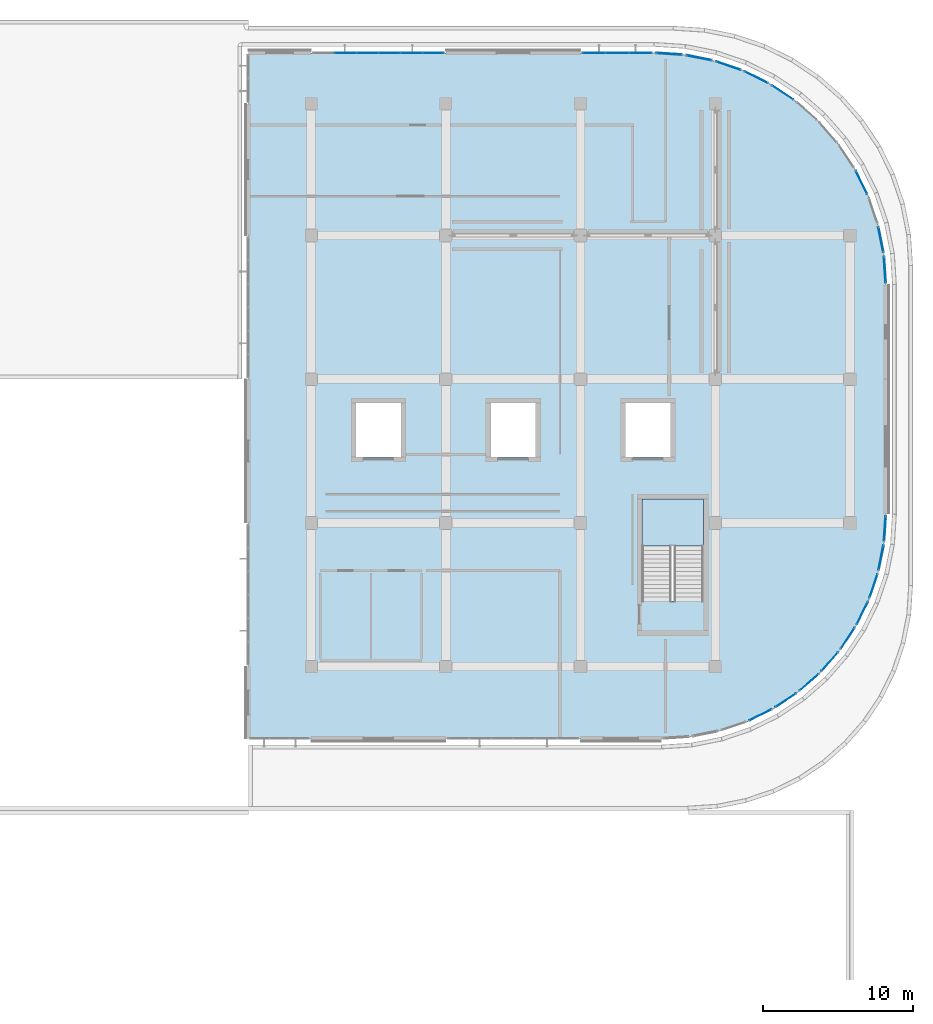
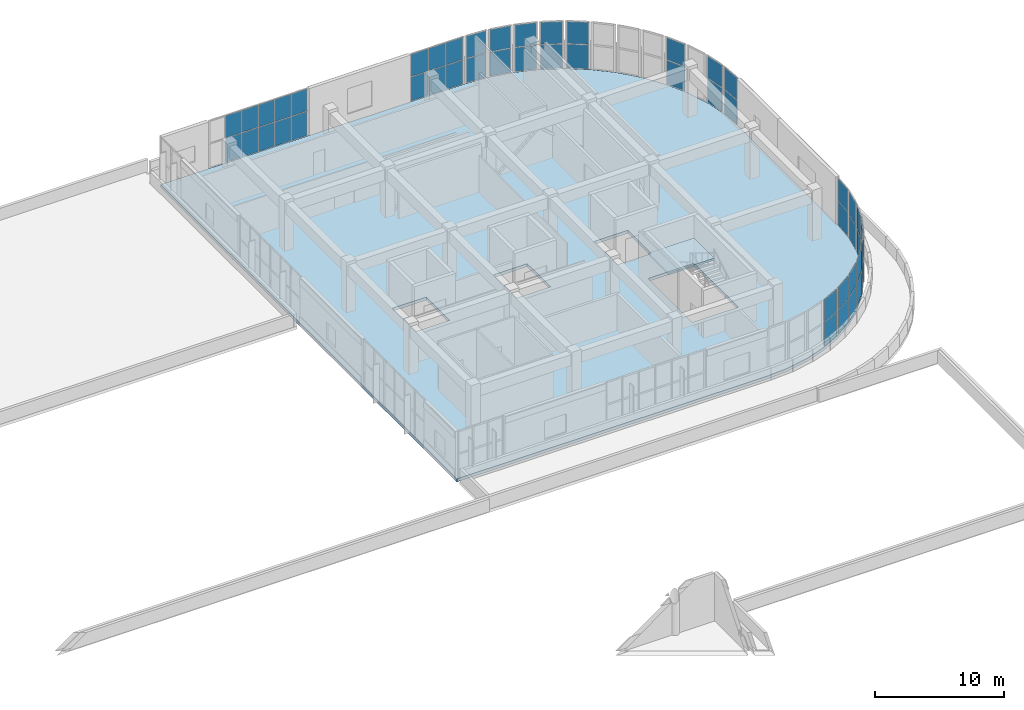
# One storey, part 34 of 67: 50 plates, 2 slabs, 20 elements without a shape of their own.
"""IFC4 building model written with IfcOpenShell, lengths in metres."""

from ifc_helpers import new_model, si_unit, direction, frame, origin, origin_2d, place, context, subcontext, project, spatial, polyline, rectangle, outline, extrude, material, layer, layer_set, type_object, element, aggregate, save


model = new_model("IFC4")

# Units and contexts
model_context = context("Model", 3, precision=1e-05, world=origin(), true_north=direction((0.0, 1.0)))
body_context = subcontext(model_context, "Body", "Model", "MODEL_VIEW")
ifc_project = project(units=[si_unit("LENGTHUNIT", "METRE"), si_unit("AREAUNIT", "SQUARE_METRE"), si_unit("VOLUMEUNIT", "CUBIC_METRE"), si_unit("PLANEANGLEUNIT", "RADIAN"), si_unit("MASSUNIT", "GRAM", prefix="KILO")], contexts=[model_context])

# Site, building, storey
site_placement = place(None, origin())
site = spatial("IfcSite", under=ifc_project, at=site_placement, CompositionType="ELEMENT")
building_placement = place(site_placement, origin())
building = spatial("IfcBuilding", under=site, at=building_placement, Name="Cendralis Terraced Arcade", CompositionType="ELEMENT")
storey_placement = place(building_placement, frame((0.0, 0.0, 15.0)))
storey = spatial("IfcBuildingStorey", under=building, at=storey_placement, Name="L03", CompositionType="ELEMENT", Elevation=15.0)

# Curtain wall, plates
ifc_material_1 = material(Name="Anodised aluminium EN AW-6063 T6", Category="aluminium")
ifc_layer_1 = layer(ifc_material_1, 0.1201171875, Name="CW-STORE-B")
ifc_layer_set_1 = layer_set([ifc_layer_1], Name="Anodised aluminium EN AW-6063 T6")
curtain_wall_type_1 = type_object("IfcCurtainWallType", Name="CW-STORE-B", PredefinedType="USERDEFINED", material=ifc_layer_set_1)
curtain_wall_1_placement = place(storey_placement, origin())
curtain_wall_1 = element("IfcCurtainWall", 1, at=curtain_wall_1_placement, inside=storey, type_object=curtain_wall_type_1, Name="Exterior Storefront Glazing CW-L03-0256", ObjectType="STOREFRONT GLAZING", PredefinedType="USERDEFINED")
ifc_material_2 = material(Name="Tempered solar control laminated glass", Category="glass")
ifc_layer_2 = layer(ifc_material_2, 0.02392578125, Name="CW-STORE-B-PNL")
ifc_layer_set_2 = layer_set([ifc_layer_2], Name="Tempered solar control laminated glass")
plate_type_1 = type_object("IfcPlateType", Name="CW-STORE-B-PNL", PredefinedType="CURTAIN_PANEL", material=ifc_layer_set_2)
plate_1_placement = place(storey_placement, frame((132.4951171875, 110.60009765625, 0.05517578125), z_axis=(0.0, 0.0, 1.0), x_axis=(1.0, 0.0, 0.0)))
plate_1 = element("IfcPlate", 2, at=plate_1_placement, type_object=plate_type_1, Name="CW-S2 panel 2.1", PredefinedType="CURTAIN_PANEL", context=body_context, shape_type="SweptSolid", body=[
    extrude(rectangle(XDim=1.4150390625, YDim=0.02392578125, at=origin_2d()), origin(), (0.0, 0.0, 1.0), 2.267822265625),
])
plate_2_placement = place(storey_placement, frame((132.4951171875, 110.60009765625, 2.3779296875), z_axis=(0.0, 0.0, 1.0), x_axis=(1.0, 0.0, 0.0)))
plate_2 = element("IfcPlate", 3, at=plate_2_placement, type_object=plate_type_1, Name="CW-S2 panel 2.2", PredefinedType="CURTAIN_PANEL", context=body_context, shape_type="SweptSolid", body=[
    extrude(rectangle(XDim=1.4150390625, YDim=0.02392578125, at=origin_2d()), origin(), (0.0, 0.0, 1.0), 2.087158203125),
])
plate_3_placement = place(storey_placement, frame((133.965087890625, 110.60009765625, 0.05517578125), z_axis=(0.0, 0.0, 1.0), x_axis=(1.0, 0.0, 0.0)))
plate_3 = element("IfcPlate", 4, at=plate_3_placement, type_object=plate_type_1, Name="CW-S2 panel 3.1", PredefinedType="CURTAIN_PANEL", context=body_context, shape_type="SweptSolid", body=[
    extrude(rectangle(XDim=1.4150390625, YDim=0.02392578125, at=origin_2d()), origin(), (0.0, 0.0, 1.0), 2.267822265625),
])
plate_4_placement = place(storey_placement, frame((133.965087890625, 110.60009765625, 2.3779296875), z_axis=(0.0, 0.0, 1.0), x_axis=(1.0, 0.0, 0.0)))
plate_4 = element("IfcPlate", 5, at=plate_4_placement, type_object=plate_type_1, Name="CW-S2 panel 3.2", PredefinedType="CURTAIN_PANEL", context=body_context, shape_type="SweptSolid", body=[
    extrude(rectangle(XDim=1.4150390625, YDim=0.02392578125, at=origin_2d()), origin(), (0.0, 0.0, 1.0), 2.087158203125),
])
plate_5_placement = place(storey_placement, frame((135.43505859375, 110.60009765625, 0.05517578125), z_axis=(0.0, 0.0, 1.0), x_axis=(1.0, 0.0, 0.0)))
plate_5 = element("IfcPlate", 6, at=plate_5_placement, type_object=plate_type_1, Name="CW-S2 panel 4.1", PredefinedType="CURTAIN_PANEL", context=body_context, shape_type="SweptSolid", body=[
    extrude(rectangle(XDim=1.4150390625, YDim=0.02392578125, at=origin_2d()), origin(), (0.0, 0.0, 1.0), 2.267822265625),
])
plate_6_placement = place(storey_placement, frame((135.43505859375, 110.60009765625, 2.3779296875), z_axis=(0.0, 0.0, 1.0), x_axis=(1.0, 0.0, 0.0)))
plate_6 = element("IfcPlate", 7, at=plate_6_placement, type_object=plate_type_1, Name="CW-S2 panel 4.2", PredefinedType="CURTAIN_PANEL", context=body_context, shape_type="SweptSolid", body=[
    extrude(rectangle(XDim=1.4150390625, YDim=0.02392578125, at=origin_2d()), origin(), (0.0, 0.0, 1.0), 2.087158203125),
])
plate_7_placement = place(storey_placement, frame((136.905029296875, 110.60009765625, 0.05517578125), z_axis=(0.0, 0.0, 1.0), x_axis=(1.0, 0.0, 0.0)))
plate_7 = element("IfcPlate", 8, at=plate_7_placement, type_object=plate_type_1, Name="CW-S2 panel 5.1", PredefinedType="CURTAIN_PANEL", context=body_context, shape_type="SweptSolid", body=[
    extrude(rectangle(XDim=1.4150390625, YDim=0.02392578125, at=origin_2d()), origin(), (0.0, 0.0, 1.0), 2.267822265625),
])
plate_8_placement = place(storey_placement, frame((136.905029296875, 110.60009765625, 2.3779296875), z_axis=(0.0, 0.0, 1.0), x_axis=(1.0, 0.0, 0.0)))
plate_8 = element("IfcPlate", 9, at=plate_8_placement, type_object=plate_type_1, Name="CW-S2 panel 5.2", PredefinedType="CURTAIN_PANEL", context=body_context, shape_type="SweptSolid", body=[
    extrude(rectangle(XDim=1.4150390625, YDim=0.02392578125, at=origin_2d()), origin(), (0.0, 0.0, 1.0), 2.087158203125),
])
plate_9_placement = place(storey_placement, frame((138.361328125, 110.60009765625, 0.05517578125), z_axis=(0.0, 0.0, 1.0), x_axis=(1.0, 0.0, 0.0)))
plate_9 = element("IfcPlate", 10, at=plate_9_placement, type_object=plate_type_1, Name="CW-S2 panel 6.1", PredefinedType="CURTAIN_PANEL", context=body_context, shape_type="SweptSolid", body=[
    extrude(rectangle(XDim=1.387451171875, YDim=0.02392578125, at=origin_2d()), origin(), (0.0, 0.0, 1.0), 2.267822265625),
])
plate_10_placement = place(storey_placement, frame((138.361328125, 110.60009765625, 2.3779296875), z_axis=(0.0, 0.0, 1.0), x_axis=(1.0, 0.0, 0.0)))
plate_10 = element("IfcPlate", 11, at=plate_10_placement, type_object=plate_type_1, Name="CW-S2 panel 6.2", PredefinedType="CURTAIN_PANEL", context=body_context, shape_type="SweptSolid", body=[
    extrude(rectangle(XDim=1.387451171875, YDim=0.02392578125, at=origin_2d()), origin(), (0.0, 0.0, 1.0), 2.087158203125),
])
aggregate(curtain_wall_1, [plate_1, plate_2, plate_3, plate_4, plate_5, plate_6, plate_7, plate_8, plate_9, plate_10])

curtain_wall_2_placement = place(storey_placement, origin())
curtain_wall_2 = element("IfcCurtainWall", 12, at=curtain_wall_2_placement, inside=storey, type_object=curtain_wall_type_1, Name="Exterior Storefront Glazing CW-L03-0257", ObjectType="STOREFRONT GLAZING", PredefinedType="USERDEFINED")
plate_11_placement = place(storey_placement, frame((149.09033203125, 110.60009765625, 0.05517578125), z_axis=(0.0, 0.0, 1.0), x_axis=(1.0, 0.0, 0.0)))
plate_11 = element("IfcPlate", 13, at=plate_11_placement, type_object=plate_type_1, Name="CW-S2 panel 1.1", PredefinedType="CURTAIN_PANEL", context=body_context, shape_type="SweptSolid", body=[
    extrude(rectangle(XDim=1.49072265625, YDim=0.02392578125, at=origin_2d()), origin(), (0.0, 0.0, 1.0), 2.267822265625),
])
plate_12_placement = place(storey_placement, frame((149.09033203125, 110.60009765625, 2.3779296875), z_axis=(0.0, 0.0, 1.0), x_axis=(1.0, 0.0, 0.0)))
plate_12 = element("IfcPlate", 14, at=plate_12_placement, type_object=plate_type_1, Name="CW-S2 panel 1.2", PredefinedType="CURTAIN_PANEL", context=body_context, shape_type="SweptSolid", body=[
    extrude(rectangle(XDim=1.49072265625, YDim=0.02392578125, at=origin_2d()), origin(), (0.0, 0.0, 1.0), 2.087158203125),
])
plate_13_placement = place(storey_placement, frame((150.64990234375, 110.60009765625, 0.05517578125), z_axis=(0.0, 0.0, 1.0), x_axis=(1.0, 0.0, 0.0)))
plate_13 = element("IfcPlate", 15, at=plate_13_placement, type_object=plate_type_1, Name="CW-S2 panel 2.1", PredefinedType="CURTAIN_PANEL", context=body_context, shape_type="SweptSolid", body=[
    extrude(rectangle(XDim=1.518310546875, YDim=0.02392578125, at=origin_2d()), origin(), (0.0, 0.0, 1.0), 2.267822265625),
])
plate_14_placement = place(storey_placement, frame((150.64990234375, 110.60009765625, 2.3779296875), z_axis=(0.0, 0.0, 1.0), x_axis=(1.0, 0.0, 0.0)))
plate_14 = element("IfcPlate", 16, at=plate_14_placement, type_object=plate_type_1, Name="CW-S2 panel 2.2", PredefinedType="CURTAIN_PANEL", context=body_context, shape_type="SweptSolid", body=[
    extrude(rectangle(XDim=1.518310546875, YDim=0.02392578125, at=origin_2d()), origin(), (0.0, 0.0, 1.0), 2.087158203125),
])
plate_15_placement = place(storey_placement, frame((152.20947265625, 110.60009765625, 0.05517578125), z_axis=(0.0, 0.0, 1.0), x_axis=(1.0, 0.0, 0.0)))
plate_15 = element("IfcPlate", 17, at=plate_15_placement, type_object=plate_type_1, Name="CW-S2 panel 3.1", PredefinedType="CURTAIN_PANEL", context=body_context, shape_type="SweptSolid", body=[
    extrude(rectangle(XDim=1.49072265625, YDim=0.02392578125, at=origin_2d()), origin(), (0.0, 0.0, 1.0), 2.267822265625),
])
plate_16_placement = place(storey_placement, frame((152.20947265625, 110.60009765625, 2.3779296875), z_axis=(0.0, 0.0, 1.0), x_axis=(1.0, 0.0, 0.0)))
plate_16 = element("IfcPlate", 18, at=plate_16_placement, type_object=plate_type_1, Name="CW-S2 panel 3.2", PredefinedType="CURTAIN_PANEL", context=body_context, shape_type="SweptSolid", body=[
    extrude(rectangle(XDim=1.49072265625, YDim=0.02392578125, at=origin_2d()), origin(), (0.0, 0.0, 1.0), 2.087158203125),
])
aggregate(curtain_wall_2, [plate_11, plate_12, plate_13, plate_14, plate_15, plate_16])

ifc_layer_3 = layer(ifc_material_1, 0.179931640625, Name="CW-UNIT-A")
ifc_layer_set_3 = layer_set([ifc_layer_3], Name="Anodised aluminium EN AW-6063 T6")
curtain_wall_type_2 = type_object("IfcCurtainWallType", Name="CW-UNIT-A", PredefinedType="USERDEFINED", material=ifc_layer_set_3)
curtain_wall_3_placement = place(storey_placement, origin())
curtain_wall_3 = element("IfcCurtainWall", 19, at=curtain_wall_3_placement, inside=storey, type_object=curtain_wall_type_2, Name="Exterior Unitised Facade CW-L03-0227", ObjectType="UNITISED FACADE", PredefinedType="USERDEFINED")
ifc_layer_4 = layer(ifc_material_2, 0.035888671875, Name="CW-UNIT-A-PNL")
ifc_layer_set_4 = layer_set([ifc_layer_4], Name="Tempered solar control laminated glass")
plate_type_2 = type_object("IfcPlateType", Name="CW-UNIT-A-PNL", PredefinedType="CURTAIN_PANEL", material=ifc_layer_set_4)
plate_17_placement = place(storey_placement, frame((154.111572265625, 110.53369140625, 0.06494140625), z_axis=(0.0, 0.0, 1.0), x_axis=(0.997860192175, -0.065383766124, 0.0)))
plate_17 = element("IfcPlate", 20, at=plate_17_placement, type_object=plate_type_2, Name="CW-U1 panel 1.1", PredefinedType="CURTAIN_PANEL", context=body_context, shape_type="SweptSolid", body=[
    extrude(rectangle(XDim=1.717529296875, YDim=0.035888671875, at=origin_2d()), origin(), (0.0, 0.0, 1.0), 2.2529296875),
])
plate_18_placement = place(storey_placement, frame((154.111572265625, 110.53369140625, 2.3828125), z_axis=(0.0, 0.0, 1.0), x_axis=(0.997860192175, -0.065383766124, 0.0)))
plate_18 = element("IfcPlate", 21, at=plate_18_placement, type_object=plate_type_2, Name="CW-U1 panel 1.2", PredefinedType="CURTAIN_PANEL", context=body_context, shape_type="SweptSolid", body=[
    extrude(rectangle(XDim=1.717529296875, YDim=0.035888671875, at=origin_2d()), origin(), (0.0, 0.0, 1.0), 2.072021484375),
])
aggregate(curtain_wall_3, [plate_17, plate_18])

curtain_wall_4_placement = place(storey_placement, origin())
curtain_wall_4 = element("IfcCurtainWall", 22, at=curtain_wall_4_placement, inside=storey, type_object=curtain_wall_type_2, Name="Exterior Unitised Facade CW-L03-0228", ObjectType="UNITISED FACADE", PredefinedType="USERDEFINED")
plate_19_placement = place(storey_placement, frame((156.117431640625, 110.26953125, 0.06494140625), z_axis=(0.0, 0.0, 1.0), x_axis=(0.980796601395, -0.195033398913, 0.0)))
plate_19 = element("IfcPlate", 23, at=plate_19_placement, type_object=plate_type_2, Name="CW-U1 panel 1.1", PredefinedType="CURTAIN_PANEL", context=body_context, shape_type="SweptSolid", body=[
    extrude(rectangle(XDim=1.71728515625, YDim=0.035888671875, at=origin_2d()), origin(), (0.0, 0.0, 1.0), 2.2529296875),
])
plate_20_placement = place(storey_placement, frame((156.117431640625, 110.26953125, 2.3828125), z_axis=(0.0, 0.0, 1.0), x_axis=(0.980796601395, -0.195033398913, 0.0)))
plate_20 = element("IfcPlate", 24, at=plate_20_placement, type_object=plate_type_2, Name="CW-U1 panel 1.2", PredefinedType="CURTAIN_PANEL", context=body_context, shape_type="SweptSolid", body=[
    extrude(rectangle(XDim=1.71728515625, YDim=0.035888671875, at=origin_2d()), origin(), (0.0, 0.0, 1.0), 2.072021484375),
])
aggregate(curtain_wall_4, [plate_19, plate_20])

curtain_wall_5_placement = place(storey_placement, origin())
curtain_wall_5 = element("IfcCurtainWall", 25, at=curtain_wall_5_placement, inside=storey, type_object=curtain_wall_type_2, Name="Exterior Unitised Facade CW-L03-0229", ObjectType="UNITISED FACADE", PredefinedType="USERDEFINED")
plate_21_placement = place(storey_placement, frame((158.071533203125, 109.74609375, 0.06494140625), z_axis=(0.0, 0.0, 1.0), x_axis=(0.946909571674, -0.32150002033, 0.0)))
plate_21 = element("IfcPlate", 26, at=plate_21_placement, type_object=plate_type_2, Name="CW-U1 panel 1.1", PredefinedType="CURTAIN_PANEL", context=body_context, shape_type="SweptSolid", body=[
    extrude(rectangle(XDim=1.717529296875, YDim=0.035888671875, at=origin_2d()), origin(), (0.0, 0.0, 1.0), 2.2529296875),
])
plate_22_placement = place(storey_placement, frame((158.071533203125, 109.74609375, 2.3828125), z_axis=(0.0, 0.0, 1.0), x_axis=(0.946909571674, -0.32150002033, 0.0)))
plate_22 = element("IfcPlate", 27, at=plate_22_placement, type_object=plate_type_2, Name="CW-U1 panel 1.2", PredefinedType="CURTAIN_PANEL", context=body_context, shape_type="SweptSolid", body=[
    extrude(rectangle(XDim=1.717529296875, YDim=0.035888671875, at=origin_2d()), origin(), (0.0, 0.0, 1.0), 2.072021484375),
])
aggregate(curtain_wall_5, [plate_21, plate_22])

curtain_wall_6_placement = place(storey_placement, origin())
curtain_wall_6 = element("IfcCurtainWall", 28, at=curtain_wall_6_placement, inside=storey, type_object=curtain_wall_type_2, Name="Exterior Unitised Facade CW-L03-0230", ObjectType="UNITISED FACADE", PredefinedType="USERDEFINED")
plate_23_placement = place(storey_placement, frame((159.94091796875, 108.9716796875, 0.06494140625), z_axis=(0.0, 0.0, 1.0), x_axis=(0.896881752867, -0.442270416572, 0.0)))
plate_23 = element("IfcPlate", 29, at=plate_23_placement, type_object=plate_type_2, Name="CW-U1 panel 1.1", PredefinedType="CURTAIN_PANEL", context=body_context, shape_type="SweptSolid", body=[
    extrude(rectangle(XDim=1.717529296875, YDim=0.035888671875, at=origin_2d()), origin(), (0.0, 0.0, 1.0), 2.2529296875),
])
plate_24_placement = place(storey_placement, frame((159.94091796875, 108.9716796875, 2.3828125), z_axis=(0.0, 0.0, 1.0), x_axis=(0.896881752867, -0.442270416572, 0.0)))
plate_24 = element("IfcPlate", 30, at=plate_24_placement, type_object=plate_type_2, Name="CW-U1 panel 1.2", PredefinedType="CURTAIN_PANEL", context=body_context, shape_type="SweptSolid", body=[
    extrude(rectangle(XDim=1.717529296875, YDim=0.035888671875, at=origin_2d()), origin(), (0.0, 0.0, 1.0), 2.072021484375),
])
aggregate(curtain_wall_6, [plate_23, plate_24])

curtain_wall_7_placement = place(storey_placement, origin())
curtain_wall_7 = element("IfcCurtainWall", 31, at=curtain_wall_7_placement, inside=storey, type_object=curtain_wall_type_2, Name="Exterior Unitised Facade CW-L03-0231", ObjectType="UNITISED FACADE", PredefinedType="USERDEFINED")
plate_25_placement = place(storey_placement, frame((161.69287109375, 107.960205078125, 0.06494140625), z_axis=(0.0, 0.0, 1.0), x_axis=(0.831483619587, -0.555549269065, 0.0)))
plate_25 = element("IfcPlate", 32, at=plate_25_placement, type_object=plate_type_2, Name="CW-U1 panel 1.1", PredefinedType="CURTAIN_PANEL", context=body_context, shape_type="SweptSolid", body=[
    extrude(rectangle(XDim=1.717529296875, YDim=0.035888671875, at=origin_2d()), origin(), (0.0, 0.0, 1.0), 2.2529296875),
])
plate_26_placement = place(storey_placement, frame((161.69287109375, 107.960205078125, 2.3828125), z_axis=(0.0, 0.0, 1.0), x_axis=(0.831483619587, -0.555549269065, 0.0)))
plate_26 = element("IfcPlate", 33, at=plate_26_placement, type_object=plate_type_2, Name="CW-U1 panel 1.2", PredefinedType="CURTAIN_PANEL", context=body_context, shape_type="SweptSolid", body=[
    extrude(rectangle(XDim=1.717529296875, YDim=0.035888671875, at=origin_2d()), origin(), (0.0, 0.0, 1.0), 2.072021484375),
])
aggregate(curtain_wall_7, [plate_25, plate_26])

curtain_wall_8_placement = place(storey_placement, origin())
curtain_wall_8 = element("IfcCurtainWall", 34, at=curtain_wall_8_placement, inside=storey, type_object=curtain_wall_type_2, Name="Exterior Unitised Facade CW-L03-0235", ObjectType="UNITISED FACADE", PredefinedType="USERDEFINED")
plate_27_placement = place(storey_placement, frame((166.9716796875, 101.94091796875, 0.06494140625), z_axis=(0.0, 0.0, 1.0), x_axis=(0.442270416572, -0.896881752867, 0.0)))
plate_27 = element("IfcPlate", 35, at=plate_27_placement, type_object=plate_type_2, Name="CW-U1 panel 1.1", PredefinedType="CURTAIN_PANEL", context=body_context, shape_type="SweptSolid", body=[
    extrude(rectangle(XDim=1.717529296875, YDim=0.035888671875, at=origin_2d()), origin(), (0.0, 0.0, 1.0), 2.2529296875),
])
plate_28_placement = place(storey_placement, frame((166.9716796875, 101.94091796875, 2.3828125), z_axis=(0.0, 0.0, 1.0), x_axis=(0.442270416572, -0.896881752867, 0.0)))
plate_28 = element("IfcPlate", 36, at=plate_28_placement, type_object=plate_type_2, Name="CW-U1 panel 1.2", PredefinedType="CURTAIN_PANEL", context=body_context, shape_type="SweptSolid", body=[
    extrude(rectangle(XDim=1.717529296875, YDim=0.035888671875, at=origin_2d()), origin(), (0.0, 0.0, 1.0), 2.072021484375),
])
aggregate(curtain_wall_8, [plate_27, plate_28])

curtain_wall_9_placement = place(storey_placement, origin())
curtain_wall_9 = element("IfcCurtainWall", 37, at=curtain_wall_9_placement, inside=storey, type_object=curtain_wall_type_2, Name="Exterior Unitised Facade CW-L03-0237", ObjectType="UNITISED FACADE", PredefinedType="USERDEFINED")
plate_29_placement = place(storey_placement, frame((168.26953125, 98.117431640625, 0.06494140625), z_axis=(0.0, 0.0, 1.0), x_axis=(0.195033398913, -0.980796601395, 0.0)))
plate_29 = element("IfcPlate", 38, at=plate_29_placement, type_object=plate_type_2, Name="CW-U1 panel 1.1", PredefinedType="CURTAIN_PANEL", context=body_context, shape_type="SweptSolid", body=[
    extrude(rectangle(XDim=1.71728515625, YDim=0.035888671875, at=origin_2d()), origin(), (0.0, 0.0, 1.0), 2.2529296875),
])
plate_30_placement = place(storey_placement, frame((168.26953125, 98.117431640625, 2.3828125), z_axis=(0.0, 0.0, 1.0), x_axis=(0.195033398913, -0.980796601395, 0.0)))
plate_30 = element("IfcPlate", 39, at=plate_30_placement, type_object=plate_type_2, Name="CW-U1 panel 1.2", PredefinedType="CURTAIN_PANEL", context=body_context, shape_type="SweptSolid", body=[
    extrude(rectangle(XDim=1.71728515625, YDim=0.035888671875, at=origin_2d()), origin(), (0.0, 0.0, 1.0), 2.072021484375),
])
aggregate(curtain_wall_9, [plate_29, plate_30])

curtain_wall_10_placement = place(storey_placement, origin())
curtain_wall_10 = element("IfcCurtainWall", 40, at=curtain_wall_10_placement, inside=storey, type_object=curtain_wall_type_2, Name="Exterior Unitised Facade CW-L03-0238", ObjectType="UNITISED FACADE", PredefinedType="USERDEFINED")
plate_31_placement = place(storey_placement, frame((168.53369140625, 96.111572265625, 0.06494140625), z_axis=(0.0, 0.0, 1.0), x_axis=(0.065383766124, -0.997860192175, 0.0)))
plate_31 = element("IfcPlate", 41, at=plate_31_placement, type_object=plate_type_2, Name="CW-U1 panel 1.1", PredefinedType="CURTAIN_PANEL", context=body_context, shape_type="SweptSolid", body=[
    extrude(rectangle(XDim=1.717529296875, YDim=0.035888671875, at=origin_2d()), origin(), (0.0, 0.0, 1.0), 2.2529296875),
])
plate_32_placement = place(storey_placement, frame((168.53369140625, 96.111572265625, 2.3828125), z_axis=(0.0, 0.0, 1.0), x_axis=(0.065383766124, -0.997860192175, 0.0)))
plate_32 = element("IfcPlate", 42, at=plate_32_placement, type_object=plate_type_2, Name="CW-U1 panel 1.2", PredefinedType="CURTAIN_PANEL", context=body_context, shape_type="SweptSolid", body=[
    extrude(rectangle(XDim=1.717529296875, YDim=0.035888671875, at=origin_2d()), origin(), (0.0, 0.0, 1.0), 2.072021484375),
])
aggregate(curtain_wall_10, [plate_31, plate_32])

curtain_wall_11_placement = place(storey_placement, origin())
curtain_wall_11 = element("IfcCurtainWall", 43, at=curtain_wall_11_placement, inside=storey, type_object=curtain_wall_type_2, Name="Exterior Unitised Facade CW-L03-0239", ObjectType="UNITISED FACADE", PredefinedType="USERDEFINED")
plate_33_placement = place(storey_placement, frame((168.535888671875, 78.821044921875, 0.06494140625), z_axis=(0.0, 0.0, 1.0), x_axis=(-0.065371873798, -0.997860971336, 0.0)))
plate_33 = element("IfcPlate", 44, at=plate_33_placement, type_object=plate_type_2, Name="CW-U1 panel 1.1", PredefinedType="CURTAIN_PANEL", context=body_context, shape_type="SweptSolid", body=[
    extrude(rectangle(XDim=1.652099609375, YDim=0.035888671875, at=origin_2d()), origin(), (0.0, 0.0, 1.0), 2.2529296875),
])
plate_34_placement = place(storey_placement, frame((168.535888671875, 78.821044921875, 2.3828125), z_axis=(0.0, 0.0, 1.0), x_axis=(-0.065371873798, -0.997860971336, 0.0)))
plate_34 = element("IfcPlate", 45, at=plate_34_placement, type_object=plate_type_2, Name="CW-U1 panel 1.2", PredefinedType="CURTAIN_PANEL", context=body_context, shape_type="SweptSolid", body=[
    extrude(rectangle(XDim=1.652099609375, YDim=0.035888671875, at=origin_2d()), origin(), (0.0, 0.0, 1.0), 2.072021484375),
])
aggregate(curtain_wall_11, [plate_33, plate_34])

curtain_wall_12_placement = place(storey_placement, origin())
curtain_wall_12 = element("IfcCurtainWall", 46, at=curtain_wall_12_placement, inside=storey, type_object=curtain_wall_type_2, Name="Exterior Unitised Facade CW-L03-0240", ObjectType="UNITISED FACADE", PredefinedType="USERDEFINED")
plate_35_placement = place(storey_placement, frame((168.2802734375, 76.8798828125, 0.06494140625), z_axis=(0.0, 0.0, 1.0), x_axis=(-0.195058454434, -0.980791618721, 0.0)))
plate_35 = element("IfcPlate", 47, at=plate_35_placement, type_object=plate_type_2, Name="CW-U1 panel 1.1", PredefinedType="CURTAIN_PANEL", context=body_context, shape_type="SweptSolid", body=[
    extrude(rectangle(XDim=1.652099609375, YDim=0.035888671875, at=origin_2d()), origin(), (0.0, 0.0, 1.0), 2.2529296875),
])
plate_36_placement = place(storey_placement, frame((168.2802734375, 76.8798828125, 2.3828125), z_axis=(0.0, 0.0, 1.0), x_axis=(-0.195058454434, -0.980791618721, 0.0)))
plate_36 = element("IfcPlate", 48, at=plate_36_placement, type_object=plate_type_2, Name="CW-U1 panel 1.2", PredefinedType="CURTAIN_PANEL", context=body_context, shape_type="SweptSolid", body=[
    extrude(rectangle(XDim=1.652099609375, YDim=0.035888671875, at=origin_2d()), origin(), (0.0, 0.0, 1.0), 2.072021484375),
])
aggregate(curtain_wall_12, [plate_35, plate_36])

curtain_wall_13_placement = place(storey_placement, origin())
curtain_wall_13 = element("IfcCurtainWall", 49, at=curtain_wall_13_placement, inside=storey, type_object=curtain_wall_type_2, Name="Exterior Unitised Facade CW-L03-0241", ObjectType="UNITISED FACADE", PredefinedType="USERDEFINED")
plate_37_placement = place(storey_placement, frame((167.7734375, 74.98876953125, 0.06494140625), z_axis=(0.0, 0.0, 1.0), x_axis=(-0.321458077458, -0.946923811316, 0.0)))
plate_37 = element("IfcPlate", 50, at=plate_37_placement, type_object=plate_type_2, Name="CW-U1 panel 1.1", PredefinedType="CURTAIN_PANEL", context=body_context, shape_type="SweptSolid", body=[
    extrude(rectangle(XDim=1.652099609375, YDim=0.035888671875, at=origin_2d()), origin(), (0.0, 0.0, 1.0), 2.2529296875),
])
plate_38_placement = place(storey_placement, frame((167.7734375, 74.98876953125, 2.3828125), z_axis=(0.0, 0.0, 1.0), x_axis=(-0.321458077458, -0.946923811316, 0.0)))
plate_38 = element("IfcPlate", 51, at=plate_38_placement, type_object=plate_type_2, Name="CW-U1 panel 1.2", PredefinedType="CURTAIN_PANEL", context=body_context, shape_type="SweptSolid", body=[
    extrude(rectangle(XDim=1.652099609375, YDim=0.035888671875, at=origin_2d()), origin(), (0.0, 0.0, 1.0), 2.072021484375),
])
aggregate(curtain_wall_13, [plate_37, plate_38])

curtain_wall_14_placement = place(storey_placement, origin())
curtain_wall_14 = element("IfcCurtainWall", 52, at=curtain_wall_14_placement, inside=storey, type_object=curtain_wall_type_2, Name="Exterior Unitised Facade CW-L03-0242", ObjectType="UNITISED FACADE", PredefinedType="USERDEFINED")
plate_39_placement = place(storey_placement, frame((167.0244140625, 73.179931640625, 0.06494140625), z_axis=(0.0, 0.0, 1.0), x_axis=(-0.442291247495, -0.896871480419, 0.0)))
plate_39 = element("IfcPlate", 53, at=plate_39_placement, type_object=plate_type_2, Name="CW-U1 panel 1.1", PredefinedType="CURTAIN_PANEL", context=body_context, shape_type="SweptSolid", body=[
    extrude(rectangle(XDim=1.652099609375, YDim=0.035888671875, at=origin_2d()), origin(), (0.0, 0.0, 1.0), 2.2529296875),
])
plate_40_placement = place(storey_placement, frame((167.0244140625, 73.179931640625, 2.3828125), z_axis=(0.0, 0.0, 1.0), x_axis=(-0.442291247495, -0.896871480419, 0.0)))
plate_40 = element("IfcPlate", 54, at=plate_40_placement, type_object=plate_type_2, Name="CW-U1 panel 1.2", PredefinedType="CURTAIN_PANEL", context=body_context, shape_type="SweptSolid", body=[
    extrude(rectangle(XDim=1.652099609375, YDim=0.035888671875, at=origin_2d()), origin(), (0.0, 0.0, 1.0), 2.072021484375),
])
aggregate(curtain_wall_14, [plate_39, plate_40])

curtain_wall_15_placement = place(storey_placement, origin())
curtain_wall_15 = element("IfcCurtainWall", 55, at=curtain_wall_15_placement, inside=storey, type_object=curtain_wall_type_2, Name="Exterior Unitised Facade CW-L03-0243", ObjectType="UNITISED FACADE", PredefinedType="USERDEFINED")
plate_41_placement = place(storey_placement, frame((166.04541015625, 71.484375, 0.06494140625), z_axis=(0.0, 0.0, 1.0), x_axis=(-0.555567476528, -0.831471454125, 0.0)))
plate_41 = element("IfcPlate", 56, at=plate_41_placement, type_object=plate_type_2, Name="CW-U1 panel 1.1", PredefinedType="CURTAIN_PANEL", context=body_context, shape_type="SweptSolid", body=[
    extrude(rectangle(XDim=1.652099609375, YDim=0.035888671875, at=origin_2d()), origin(), (0.0, 0.0, 1.0), 2.2529296875),
])
plate_42_placement = place(storey_placement, frame((166.04541015625, 71.484375, 2.3828125), z_axis=(0.0, 0.0, 1.0), x_axis=(-0.555567476528, -0.831471454125, 0.0)))
plate_42 = element("IfcPlate", 57, at=plate_42_placement, type_object=plate_type_2, Name="CW-U1 panel 1.2", PredefinedType="CURTAIN_PANEL", context=body_context, shape_type="SweptSolid", body=[
    extrude(rectangle(XDim=1.652099609375, YDim=0.035888671875, at=origin_2d()), origin(), (0.0, 0.0, 1.0), 2.072021484375),
])
aggregate(curtain_wall_15, [plate_41, plate_42])

curtain_wall_16_placement = place(storey_placement, origin())
curtain_wall_16 = element("IfcCurtainWall", 58, at=curtain_wall_16_placement, inside=storey, type_object=curtain_wall_type_2, Name="Exterior Unitised Facade CW-L03-0244", ObjectType="UNITISED FACADE", PredefinedType="USERDEFINED")
plate_43_placement = place(storey_placement, frame((164.853515625, 69.930908203125, 0.06494140625), z_axis=(0.0, 0.0, 1.0), x_axis=(-0.659386076266, -0.751804497477, 0.0)))
plate_43 = element("IfcPlate", 59, at=plate_43_placement, type_object=plate_type_2, Name="CW-U1 panel 1.1", PredefinedType="CURTAIN_PANEL", context=body_context, shape_type="SweptSolid", body=[
    extrude(rectangle(XDim=1.652099609375, YDim=0.035888671875, at=origin_2d()), origin(), (0.0, 0.0, 1.0), 2.2529296875),
])
plate_44_placement = place(storey_placement, frame((164.853515625, 69.930908203125, 2.3828125), z_axis=(0.0, 0.0, 1.0), x_axis=(-0.659386076266, -0.751804497477, 0.0)))
plate_44 = element("IfcPlate", 60, at=plate_44_placement, type_object=plate_type_2, Name="CW-U1 panel 1.2", PredefinedType="CURTAIN_PANEL", context=body_context, shape_type="SweptSolid", body=[
    extrude(rectangle(XDim=1.652099609375, YDim=0.035888671875, at=origin_2d()), origin(), (0.0, 0.0, 1.0), 2.072021484375),
])
aggregate(curtain_wall_16, [plate_43, plate_44])

curtain_wall_17_placement = place(storey_placement, origin())
curtain_wall_17 = element("IfcCurtainWall", 61, at=curtain_wall_17_placement, inside=storey, type_object=curtain_wall_type_2, Name="Exterior Unitised Facade CW-L03-0245", ObjectType="UNITISED FACADE", PredefinedType="USERDEFINED")
plate_45_placement = place(storey_placement, frame((163.468994140625, 68.546630859375, 0.06494140625), z_axis=(0.0, 0.0, 1.0), x_axis=(-0.751804497477, -0.659386076266, 0.0)))
plate_45 = element("IfcPlate", 62, at=plate_45_placement, type_object=plate_type_2, Name="CW-U1 panel 1.1", PredefinedType="CURTAIN_PANEL", context=body_context, shape_type="SweptSolid", body=[
    extrude(rectangle(XDim=1.652099609375, YDim=0.035888671875, at=origin_2d()), origin(), (0.0, 0.0, 1.0), 2.2529296875),
])
plate_46_placement = place(storey_placement, frame((163.468994140625, 68.546630859375, 2.3828125), z_axis=(0.0, 0.0, 1.0), x_axis=(-0.751804497477, -0.659386076266, 0.0)))
plate_46 = element("IfcPlate", 63, at=plate_46_placement, type_object=plate_type_2, Name="CW-U1 panel 1.2", PredefinedType="CURTAIN_PANEL", context=body_context, shape_type="SweptSolid", body=[
    extrude(rectangle(XDim=1.652099609375, YDim=0.035888671875, at=origin_2d()), origin(), (0.0, 0.0, 1.0), 2.072021484375),
])
aggregate(curtain_wall_17, [plate_45, plate_46])

curtain_wall_18_placement = place(storey_placement, origin())
curtain_wall_18 = element("IfcCurtainWall", 64, at=curtain_wall_18_placement, inside=storey, type_object=curtain_wall_type_2, Name="Exterior Unitised Facade CW-L03-0246", ObjectType="UNITISED FACADE", PredefinedType="USERDEFINED")
plate_47_placement = place(storey_placement, frame((161.915771484375, 67.354736328125, 0.06494140625), z_axis=(0.0, 0.0, 1.0), x_axis=(-0.831471454125, -0.555567476528, 0.0)))
plate_47 = element("IfcPlate", 65, at=plate_47_placement, type_object=plate_type_2, Name="CW-U1 panel 1.1", PredefinedType="CURTAIN_PANEL", context=body_context, shape_type="SweptSolid", body=[
    extrude(rectangle(XDim=1.652099609375, YDim=0.035888671875, at=origin_2d()), origin(), (0.0, 0.0, 1.0), 2.2529296875),
])
plate_48_placement = place(storey_placement, frame((161.915771484375, 67.354736328125, 2.3828125), z_axis=(0.0, 0.0, 1.0), x_axis=(-0.831471454125, -0.555567476528, 0.0)))
plate_48 = element("IfcPlate", 66, at=plate_48_placement, type_object=plate_type_2, Name="CW-U1 panel 1.2", PredefinedType="CURTAIN_PANEL", context=body_context, shape_type="SweptSolid", body=[
    extrude(rectangle(XDim=1.652099609375, YDim=0.035888671875, at=origin_2d()), origin(), (0.0, 0.0, 1.0), 2.072021484375),
])
aggregate(curtain_wall_18, [plate_47, plate_48])

curtain_wall_19_placement = place(storey_placement, origin())
curtain_wall_19 = element("IfcCurtainWall", 67, at=curtain_wall_19_placement, inside=storey, type_object=curtain_wall_type_2, Name="Exterior Unitised Facade CW-L03-0247", ObjectType="UNITISED FACADE", PredefinedType="USERDEFINED")
plate_49_placement = place(storey_placement, frame((160.22021484375, 66.375732421875, 0.06494140625), z_axis=(0.0, 0.0, 1.0), x_axis=(-0.896871480419, -0.442291247495, 0.0)))
plate_49 = element("IfcPlate", 68, at=plate_49_placement, type_object=plate_type_2, Name="CW-U1 panel 1.1", PredefinedType="CURTAIN_PANEL", context=body_context, shape_type="SweptSolid", body=[
    extrude(rectangle(XDim=1.652099609375, YDim=0.035888671875, at=origin_2d()), origin(), (0.0, 0.0, 1.0), 2.2529296875),
])
plate_50_placement = place(storey_placement, frame((160.22021484375, 66.375732421875, 2.3828125), z_axis=(0.0, 0.0, 1.0), x_axis=(-0.896871480419, -0.442291247495, 0.0)))
plate_50 = element("IfcPlate", 69, at=plate_50_placement, type_object=plate_type_2, Name="CW-U1 panel 1.2", PredefinedType="CURTAIN_PANEL", context=body_context, shape_type="SweptSolid", body=[
    extrude(rectangle(XDim=1.652099609375, YDim=0.035888671875, at=origin_2d()), origin(), (0.0, 0.0, 1.0), 2.072021484375),
])
aggregate(curtain_wall_19, [plate_49, plate_50])

# Slab
ifc_material_3 = material(Name="Concrete f'c 35 MPa", Category="concrete")
ifc_layer_5 = layer(ifc_material_3, 0.284912109375, Name="SLB-L03-285")
ifc_layer_set_5 = layer_set([ifc_layer_5], Name="Concrete f'c 35 MPa")
slab_type_1 = type_object("IfcSlabType", Name="SLB-L03-285", PredefinedType="FLOOR", material=ifc_layer_set_5)
slab_1_placement = place(storey_placement, frame((0.0, 0.0, -0.284912109375)))
element("IfcSlab", 70, at=slab_1_placement, inside=storey, type_object=slab_type_1, Name="Reinforced Concrete Floor Slab SLB-L03-V5-E1-1", PredefinedType="FLOOR", context=body_context, shape_type="SweptSolid", body=[
    extrude(outline(polyline([(155.123291015625, 110.46728515625), (157.11181640625, 110.072021484375), (159.031494140625, 109.420166015625), (160.85009765625, 108.5234375), (162.535888671875, 107.39697265625), (164.060302734375, 106.060302734375), (165.39697265625, 104.535888671875), (166.5234375, 102.85009765625), (167.420166015625, 101.031494140625), (168.072021484375, 99.11181640625), (168.46728515625, 97.123291015625), (168.60009765625, 95.10009765625), (168.60009765625, 79.800048828125), (168.4716796875, 77.842041015625), (168.0888671875, 75.917724609375), (167.458251953125, 74.059814453125), (166.59033203125, 72.300048828125), (165.500244140625, 70.668701171875), (164.20654296875, 69.193359375), (162.7314453125, 67.899658203125), (161.10009765625, 66.8095703125), (159.34033203125, 65.94189453125), (157.482421875, 65.31103515625), (155.557861328125, 64.92822265625), (153.60009765625, 64.800048828125), (126.0, 64.800048828125), (126.0, 110.60009765625), (153.10009765625, 110.60009765625), (155.123291015625, 110.46728515625)]), holes=[polyline([(156.39990234375, 80.800048828125), (152.300048828125, 80.800048828125), (152.300048828125, 73.97998046875), (156.39990234375, 73.97998046875), (156.39990234375, 80.800048828125)]), polyline([(136.199951171875, 87.199951171875), (133.199951171875, 87.199951171875), (133.199951171875, 83.60009765625), (136.199951171875, 83.60009765625), (136.199951171875, 87.199951171875)]), polyline([(145.199951171875, 87.199951171875), (142.199951171875, 87.199951171875), (142.199951171875, 83.60009765625), (145.199951171875, 83.60009765625), (145.199951171875, 87.199951171875)]), polyline([(154.199951171875, 87.199951171875), (151.199951171875, 87.199951171875), (151.199951171875, 83.60009765625), (154.199951171875, 83.60009765625), (154.199951171875, 87.199951171875)])]), origin(), (0.0, 0.0, 1.0), 0.284912109375),
])

# Stair, slab
stair_type = type_object("IfcStairType", Name="STR-W195-H480", PredefinedType="HALF_TURN_STAIR", material=ifc_material_3)
stair_placement = place(storey_placement, origin())
stair = element("IfcStair", 71, at=stair_placement, inside=storey, type_object=stair_type, Name="L03 Protected Exit Stair ST-06", PredefinedType="HALF_TURN_STAIR")
ifc_layer_6 = layer(ifc_material_3, 0.199951171875, Name="SLB-STAIR-LND-200")
ifc_layer_set_6 = layer_set([ifc_layer_6], Name="Concrete f'c 35 MPa")
slab_type_2 = type_object("IfcSlabType", Name="SLB-STAIR-LND-200", PredefinedType="LANDING", material=ifc_layer_set_6)
slab_2_placement = place(storey_placement, frame((0.0, 0.0, 2.199951171875)))
slab_2 = element("IfcSlab", 72, at=slab_2_placement, type_object=slab_type_2, Name="ST-06 landing 1", PredefinedType="LANDING", context=body_context, shape_type="SweptSolid", body=[
    extrude(outline(polyline([(156.39990234375, 77.655029296875), (156.39990234375, 80.800048828125), (152.300048828125, 80.800048828125), (152.300048828125, 77.655029296875), (156.39990234375, 77.655029296875)])), origin(), (0.0, 0.0, 1.0), 0.199951171875),
])
aggregate(stair, [slab_2])

save(model, "model.ifc")
